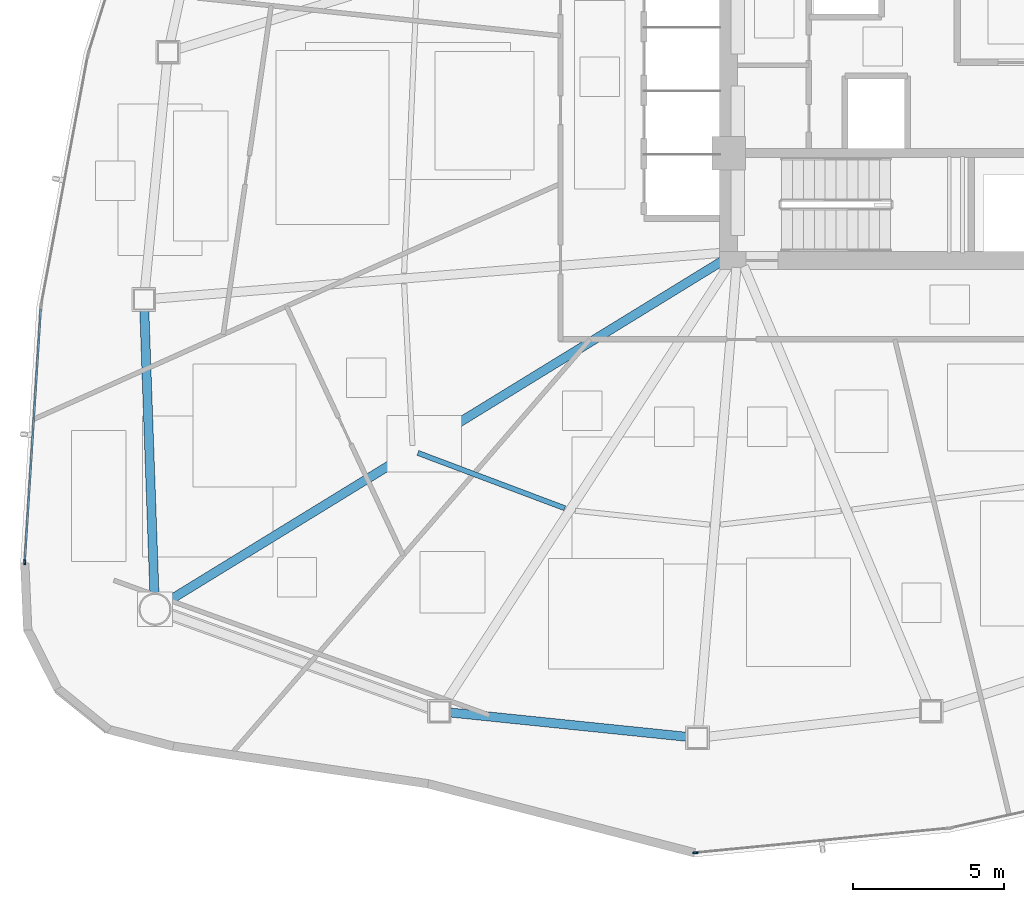
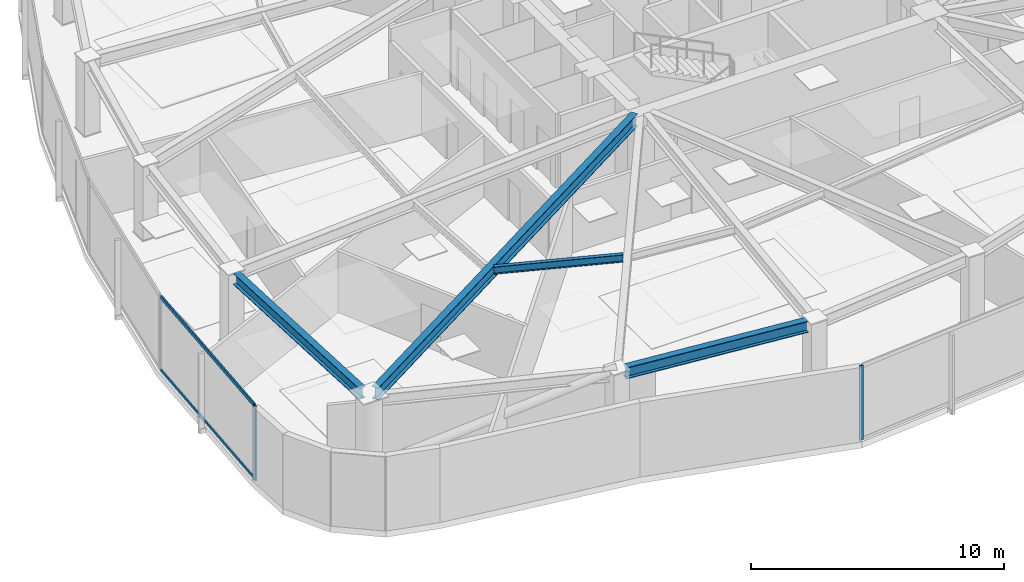
# One storey, part 2 of 18: 4 beams, 4 members, 2 elements without a shape of their own.
"""IFC4 building model written with IfcOpenShell, lengths in metres."""

from ifc_helpers import new_model, si_unit, direction, frame, origin, origin_2d, place, context, subcontext, project, spatial, hollow_rectangle, i_section, extrude, source, transform, mapped, material, layer, layer_set, material_profile, profile_set, type_object, type_shapes, element, aggregate, save


model = new_model("IFC4")

# Units and contexts
model_context = context("Model", 3, precision=1e-05, world=origin(), true_north=direction((0.0, 1.0)))
body_context = subcontext(model_context, "Body", "Model", "MODEL_VIEW")
ifc_project = project(units=[si_unit("LENGTHUNIT", "METRE"), si_unit("AREAUNIT", "SQUARE_METRE"), si_unit("VOLUMEUNIT", "CUBIC_METRE"), si_unit("PLANEANGLEUNIT", "RADIAN"), si_unit("MASSUNIT", "GRAM", prefix="KILO")], contexts=[model_context])

# Site, building, storey
site_placement = place(None, origin())
site = spatial("IfcSite", under=ifc_project, at=site_placement, CompositionType="ELEMENT")
building_placement = place(site_placement, origin())
building = spatial("IfcBuilding", under=site, at=building_placement, Name="Tavelor Broadcast Tower", CompositionType="ELEMENT")
storey_placement = place(building_placement, frame((0.0, 0.0, 62.699951171875)))
storey = spatial("IfcBuildingStorey", under=building, at=storey_placement, Name="L14", CompositionType="ELEMENT", Elevation=62.699951171875)

# Beams
ifc_material_1 = material(Name="Steel S355", Category="steel")
ifc_material_profile_1 = material_profile(ifc_material_1, i_section(OverallWidth=0.169921875, OverallDepth=0.360107421875, WebThickness=0.008056640625, FlangeThickness=0.0126953125, at=origin_2d()), Name="IPE 360")
ifc_profile_set_1 = profile_set([ifc_material_profile_1], Name="Steel S355")
beam_type_1 = type_object("IfcBeamType", Name="Composite Floor Joist T2 IPE 360", PredefinedType="JOIST", material=ifc_profile_set_1)
beam_1_placement = place(storey_placement, frame((32.8408203125, 32.15087890625, 3.420166015625), z_axis=(0.935788002818, -0.352563205371, 0.0), x_axis=(0.352563205371, 0.935788002818, 0.0)))
element("IfcBeam", 1, at=beam_1_placement, inside=storey, type_object=beam_type_1, Name="L14 Secondary Composite Floor Joist 07", PredefinedType="JOIST", context=body_context, shape_type="SweptSolid", body=[
    extrude(i_section(OverallWidth=0.169921875, OverallDepth=0.360107421875, WebThickness=0.008056640625, FlangeThickness=0.0126953125, at=origin_2d()), origin(), (0.0, 0.0, 1.0), 5.18310546875),
])
ifc_material_profile_2 = material_profile(ifc_material_1, i_section(OverallWidth=0.300048828125, OverallDepth=0.550048828125, WebThickness=0.014892578125, FlangeThickness=0.029052734375, at=origin_2d()), Name="HEB 550")
ifc_profile_set_2 = profile_set([ifc_material_profile_2], Name="Steel S355")
beam_type_2 = type_object("IfcBeamType", Name="Perimeter Spandrel Beam T2 HEB 550", PredefinedType="SPANDREL", material=ifc_profile_set_2)
beam_2_placement = place(storey_placement, frame((23.806640625, 36.880615234375, 3.324951171875), z_axis=(0.035613586899, -0.999365635005, 0.0), x_axis=(0.999365635005, 0.035613586899, 0.0)))
element("IfcBeam", 2, at=beam_2_placement, inside=storey, type_object=beam_type_2, Name="L14 Framed-Tube Ring Spandrel 06", PredefinedType="SPANDREL", context=body_context, shape_type="SweptSolid", body=[
    extrude(i_section(OverallWidth=0.300048828125, OverallDepth=0.550048828125, WebThickness=0.014892578125, FlangeThickness=0.029052734375, at=origin_2d()), origin(), (0.0, 0.0, 1.0), 9.384765625),
])
beam_3_placement = place(storey_placement, frame((33.885009765625, 23.581298828125, 3.324951171875), z_axis=(0.994770407806, -0.102136358626, 0.0), x_axis=(0.102136358626, 0.994770407806, 0.0)))
element("IfcBeam", 3, at=beam_3_placement, inside=storey, type_object=beam_type_2, Name="L14 Framed-Tube Ring Spandrel 08", PredefinedType="SPANDREL", context=body_context, shape_type="SweptSolid", body=[
    extrude(i_section(OverallWidth=0.300048828125, OverallDepth=0.550048828125, WebThickness=0.014892578125, FlangeThickness=0.029052734375, at=origin_2d()), origin(), (0.0, 0.0, 1.0), 7.895263671875),
])
ifc_material_profile_3 = material_profile(ifc_material_1, i_section(OverallWidth=0.300048828125, OverallDepth=0.60009765625, WebThickness=0.015380859375, FlangeThickness=0.030029296875, at=origin_2d()), Name="HEB 600")
ifc_profile_set_3 = profile_set([ifc_material_profile_3], Name="Steel S355")
beam_type_3 = type_object("IfcBeamType", Name="Radial Floor Girder T2 HEB 600", PredefinedType="BEAM", material=ifc_profile_set_3)
beam_4_placement = place(storey_placement, frame((42.949951171875, 38.523681640625, 3.300048828125), z_axis=(-0.852254843795, -0.52312683092, 0.0), x_axis=(0.52312683092, -0.852254843795, 0.0)))
element("IfcBeam", 4, at=beam_4_placement, inside=storey, type_object=beam_type_3, Name="L14 Radial Primary Floor Girder 07", PredefinedType="BEAM", context=body_context, shape_type="SweptSolid", body=[
    extrude(i_section(OverallWidth=0.300048828125, OverallDepth=0.60009765625, WebThickness=0.015380859375, FlangeThickness=0.030029296875, at=origin_2d()), origin(), (0.0, 0.0, 1.0), 21.5361328125),
])

# Curtain wall, member
ifc_material_2 = material(Name="Architectural Anodized Aluminium", Category="aluminium")
ifc_layer = layer(ifc_material_2, 0.179931640625)
ifc_layer_set = layer_set([ifc_layer], Name="Architectural Anodized Aluminium")
curtain_wall_type = type_object("IfcCurtainWallType", Name="Tower Low-Zone Unitised Curtain Wall CW02", PredefinedType="NOTDEFINED", material=ifc_layer_set)
curtain_wall_1_placement = place(storey_placement, origin())
curtain_wall_1 = element("IfcCurtainWall", 5, at=curtain_wall_1_placement, inside=storey, type_object=curtain_wall_type, Name="L14 Curtain Wall CW02 Run 124", PredefinedType="NOTDEFINED")
ifc_material_profile_4 = material_profile(ifc_material_2, hollow_rectangle(XDim=0.06494140625, YDim=0.179931640625, WallThickness=0.02197265625, at=origin_2d()), Name="RHS 65x180x22")
ifc_profile_set_4 = profile_set([ifc_material_profile_4], Name="Architectural Anodized Aluminium")
member_type_1 = type_object("IfcMemberType", Name="CW02 Extruded Aluminium Mullion 65x180", PredefinedType="MULLION", material=ifc_profile_set_4)
shared_shape_1 = source(origin(), body_context, "Body", "SweptSolid", [
    extrude(hollow_rectangle(XDim=0.06494140625, YDim=0.179931640625, WallThickness=0.02197265625, at=origin_2d()), origin(), (0.0, 0.0, 1.0), 3.60009765625),
])
type_shapes(member_type_1, [shared_shape_1])
member_1_placement = place(storey_placement, frame((19.85888671875, 28.543701171875, 0.0), z_axis=(0.0, 0.0, 1.0), x_axis=(0.998000964213, -0.063198698004, 0.0)))
member_1 = element("IfcMember", 6, at=member_1_placement, type_object=member_type_1, Name="CW02 mullion 2", PredefinedType="MULLION", context=body_context, shape_type="MappedRepresentation", body=[
    mapped(shared_shape_1, transform((0.0, 0.0, 0.0), scale=1.0)),
])

curtain_wall_2_placement = place(storey_placement, origin())
curtain_wall_2 = element("IfcCurtainWall", 7, at=curtain_wall_2_placement, inside=storey, type_object=curtain_wall_type, Name="L14 Curtain Wall CW02 Run 125", PredefinedType="NOTDEFINED")
member_2_placement = place(storey_placement, frame((42.0029296875, 18.94873046875, 0.0), z_axis=(0.0, 0.0, 1.0), x_axis=(-0.096281463408, 0.995354147931, 0.0)))
member_2 = element("IfcMember", 8, at=member_2_placement, type_object=member_type_1, Name="CW02 mullion 1", PredefinedType="MULLION", context=body_context, shape_type="MappedRepresentation", body=[
    mapped(shared_shape_1, transform((0.0, 0.0, 0.0), scale=1.0)),
])
aggregate(curtain_wall_2, [member_2])

# Member
ifc_material_profile_5 = material_profile(ifc_material_2, hollow_rectangle(XDim=0.06494140625, YDim=0.179931640625, WallThickness=0.02197265625, at=origin_2d()), Name="RHS 65x180x22")
ifc_profile_set_5 = profile_set([ifc_material_profile_5], Name="Architectural Anodized Aluminium")
member_type_2 = type_object("IfcMemberType", Name="CW02 Extruded Aluminium Transom 65x180", PredefinedType="USERDEFINED", material=ifc_profile_set_5)
shared_shape_2 = source(origin(), body_context, "Body", "SweptSolid", [
    extrude(hollow_rectangle(XDim=0.06494140625, YDim=0.179931640625, WallThickness=0.02197265625, at=origin_2d()), origin(), (0.0, 0.0, 1.0), 8.33837890625),
])
type_shapes(member_type_2, [shared_shape_2])
member_3_placement = place(storey_placement, frame((20.387939453125, 36.89794921875, 0.032470703125), z_axis=(-0.063183949306, -0.998001898069, 0.0), x_axis=(0.998001898069, -0.063183949306, 0.0)))
member_3 = element("IfcMember", 9, at=member_3_placement, type_object=member_type_2, Name="CW02 transom 1.1", ObjectType="TRANSOM", PredefinedType="USERDEFINED", context=body_context, shape_type="MappedRepresentation", body=[
    mapped(shared_shape_2, transform((0.0, 0.0, 0.0), scale=1.0)),
])

member_4_placement = place(storey_placement, frame((20.387939453125, 36.89794921875, 3.567626953125), z_axis=(-0.063183949306, -0.998001898069, 0.0), x_axis=(0.998001898069, -0.063183949306, 0.0)))
member_4 = element("IfcMember", 10, at=member_4_placement, type_object=member_type_2, Name="CW02 transom 1.2", ObjectType="TRANSOM", PredefinedType="USERDEFINED", context=body_context, shape_type="MappedRepresentation", body=[
    mapped(shared_shape_2, transform((0.0, 0.0, 0.0), scale=1.0)),
])

aggregate(curtain_wall_1, [member_1, member_3, member_4])

save(model, "model.ifc")
